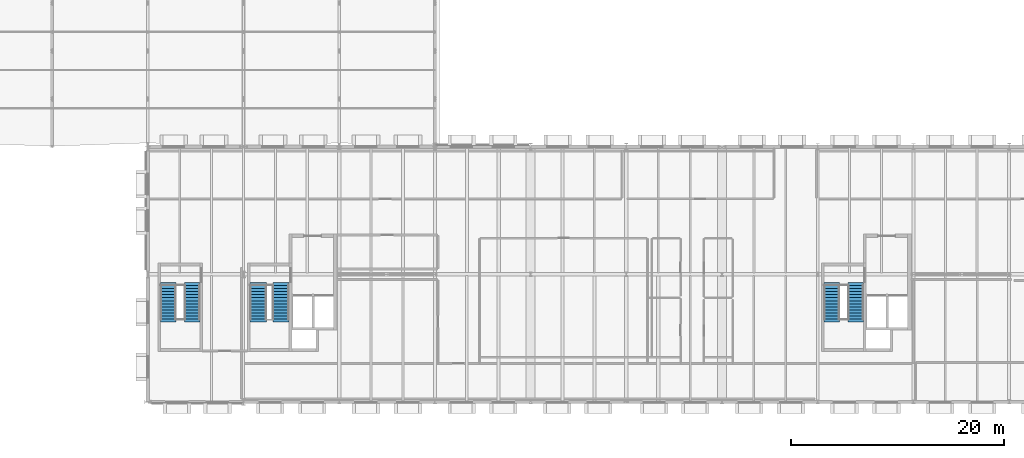
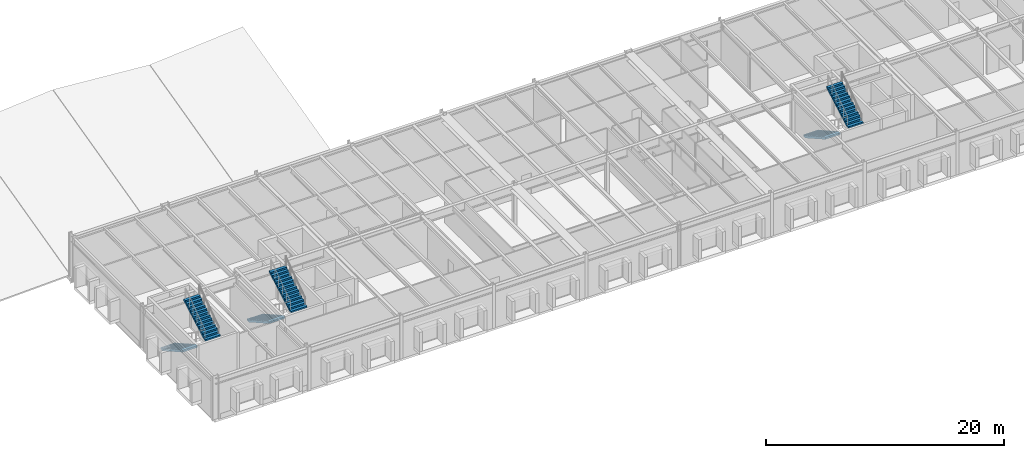
# One storey, part 63 of 67: 6 stair flights, 3 elements without a shape of their own.
"""IFC4 building model written with IfcOpenShell, lengths in metres."""

from ifc_helpers import new_model, si_unit, direction, frame, origin, place, context, subcontext, project, spatial, polyline, outline, extrude, material, type_object, element, aggregate, save


model = new_model("IFC4")

# Units and contexts
model_context = context("Model", 3, precision=1e-05, world=origin(), true_north=direction((0.0, 1.0)))
body_context = subcontext(model_context, "Body", "Model", "MODEL_VIEW")
ifc_project = project(units=[si_unit("LENGTHUNIT", "METRE"), si_unit("AREAUNIT", "SQUARE_METRE"), si_unit("VOLUMEUNIT", "CUBIC_METRE"), si_unit("PLANEANGLEUNIT", "RADIAN"), si_unit("MASSUNIT", "GRAM", prefix="KILO")], contexts=[model_context])

# Site, building, storey
site_placement = place(None, origin())
site = spatial("IfcSite", under=ifc_project, at=site_placement, CompositionType="ELEMENT")
building_placement = place(site_placement, origin())
building = spatial("IfcBuilding", under=site, at=building_placement, Name="Montelvaro Courts of Justice", CompositionType="ELEMENT")
storey_placement = place(building_placement, frame((0.0, 0.0, 18.89990234375)))
storey = spatial("IfcBuildingStorey", under=building, at=storey_placement, Name="L04", CompositionType="ELEMENT", Elevation=18.89990234375)

# Stair, stair flights
ifc_material = material(Name="Concrete C35/45", Category="concrete")
stair_type_1 = type_object("IfcStairType", Name="ProtectedStair_145", PredefinedType="HALF_TURN_STAIR", material=ifc_material)
stair_1_placement = place(storey_placement, origin())
stair_1 = element("IfcStair", 1, at=stair_1_placement, inside=storey, type_object=stair_type_1, Name="Protected Stair ST-K2-L04", PredefinedType="HALF_TURN_STAIR")
stair_flight_type_1 = type_object("IfcStairFlightType", Name="StairFlight_145", PredefinedType="STRAIGHT", material=ifc_material)
stair_flight_1_placement = place(storey_placement, frame((109.324951171875, 11.219970703125, 0.0), z_axis=(0.0, 0.0, 1.0), x_axis=(0.0, -1.0, 0.0)))
stair_flight_1 = element("IfcStairFlight", 2, at=stair_flight_1_placement, type_object=stair_flight_type_1, Name="ST-K2-L04 flight 1", NumberOfRisers=14, NumberOfTreads=13, PredefinedType="STRAIGHT", RiserHeight=0.160714286, TreadLength=0.285, context=body_context, shape_type="SweptSolid", body=[
    extrude(outline(polyline([(0.0, 0.0), (0.0, 0.16064453125), (0.284912109375, 0.16064453125), (0.284912109375, 0.321533203125), (0.570068359375, 0.321533203125), (0.570068359375, 0.482177734375), (0.85498046875, 0.482177734375), (0.85498046875, 0.642822265625), (1.139892578125, 0.642822265625), (1.139892578125, 0.803466796875), (1.425048828125, 0.803466796875), (1.425048828125, 0.96435546875), (1.7099609375, 0.96435546875), (1.7099609375, 1.125), (1.9951171875, 1.125), (1.9951171875, 1.28564453125), (2.280029296875, 1.28564453125), (2.280029296875, 1.446533203125), (2.56494140625, 1.446533203125), (2.56494140625, 1.607177734375), (2.85009765625, 1.607177734375), (2.85009765625, 1.767822265625), (3.135009765625, 1.767822265625), (3.135009765625, 1.928466796875), (3.419921875, 1.928466796875), (3.419921875, 2.08935546875), (3.705078125, 2.08935546875), (3.705078125, 2.25), (3.705078125, 1.90576171875), (0.325439453125, 0.0), (0.0, 0.0)])), frame((0.0, 0.72509765625, 0.0), z_axis=(0.0, -1.0, 0.0), x_axis=(1.0, 0.0, 0.0)), (0.0, 0.0, 1.0), 1.449951171875),
])
stair_flight_2_placement = place(storey_placement, frame((111.574951171875, 7.514892578125, 2.25), z_axis=(0.0, 0.0, 1.0), x_axis=(0.0, 1.0, 0.0)))
stair_flight_2 = element("IfcStairFlight", 3, at=stair_flight_2_placement, type_object=stair_flight_type_1, Name="ST-K2-L04 flight 2", NumberOfRisers=14, NumberOfTreads=13, PredefinedType="STRAIGHT", RiserHeight=0.160714286, TreadLength=0.285, context=body_context, shape_type="SweptSolid", body=[
    extrude(outline(polyline([(0.0, 0.0), (0.0, 0.16064453125), (0.284912109375, 0.16064453125), (0.284912109375, 0.321533203125), (0.570068359375, 0.321533203125), (0.570068359375, 0.482177734375), (0.85498046875, 0.482177734375), (0.85498046875, 0.642822265625), (1.139892578125, 0.642822265625), (1.139892578125, 0.803466796875), (1.425048828125, 0.803466796875), (1.425048828125, 0.96435546875), (1.7099609375, 0.96435546875), (1.7099609375, 1.125), (1.9951171875, 1.125), (1.9951171875, 1.28564453125), (2.280029296875, 1.28564453125), (2.280029296875, 1.446533203125), (2.56494140625, 1.446533203125), (2.56494140625, 1.607177734375), (2.85009765625, 1.607177734375), (2.85009765625, 1.767822265625), (3.135009765625, 1.767822265625), (3.135009765625, 1.928466796875), (3.419921875, 1.928466796875), (3.419921875, 2.08935546875), (3.705078125, 2.08935546875), (3.705078125, 2.25), (3.705078125, 1.90576171875), (0.325439453125, 0.0), (0.0, 0.0)])), frame((0.0, 0.72509765625, 0.0), z_axis=(0.0, -1.0, 0.0), x_axis=(1.0, 0.0, 0.0)), (0.0, 0.0, 1.0), 1.449951171875),
])
aggregate(stair_1, [stair_flight_1, stair_flight_2])

stair_2_placement = place(storey_placement, origin())
stair_2 = element("IfcStair", 4, at=stair_2_placement, inside=storey, type_object=stair_type_1, Name="Protected Stair ST-E1-L04", PredefinedType="HALF_TURN_STAIR")
stair_flight_3_placement = place(storey_placement, frame((46.925048828125, 11.219970703125, 0.0), z_axis=(0.0, 0.0, 1.0), x_axis=(0.0, -1.0, 0.0)))
stair_flight_3 = element("IfcStairFlight", 5, at=stair_flight_3_placement, type_object=stair_flight_type_1, Name="ST-E1-L04 flight 1", NumberOfRisers=14, NumberOfTreads=13, PredefinedType="STRAIGHT", RiserHeight=0.160714286, TreadLength=0.285, context=body_context, shape_type="SweptSolid", body=[
    extrude(outline(polyline([(0.0, 0.0), (0.0, 0.16064453125), (0.284912109375, 0.16064453125), (0.284912109375, 0.321533203125), (0.570068359375, 0.321533203125), (0.570068359375, 0.482177734375), (0.85498046875, 0.482177734375), (0.85498046875, 0.642822265625), (1.139892578125, 0.642822265625), (1.139892578125, 0.803466796875), (1.425048828125, 0.803466796875), (1.425048828125, 0.96435546875), (1.7099609375, 0.96435546875), (1.7099609375, 1.125), (1.9951171875, 1.125), (1.9951171875, 1.28564453125), (2.280029296875, 1.28564453125), (2.280029296875, 1.446533203125), (2.56494140625, 1.446533203125), (2.56494140625, 1.607177734375), (2.85009765625, 1.607177734375), (2.85009765625, 1.767822265625), (3.135009765625, 1.767822265625), (3.135009765625, 1.928466796875), (3.419921875, 1.928466796875), (3.419921875, 2.08935546875), (3.705078125, 2.08935546875), (3.705078125, 2.25), (3.705078125, 1.90576171875), (0.325439453125, 0.0), (0.0, 0.0)])), frame((0.0, 0.72509765625, 0.0), z_axis=(0.0, -1.0, 0.0), x_axis=(1.0, 0.0, 0.0)), (0.0, 0.0, 1.0), 1.449951171875),
])
stair_flight_4_placement = place(storey_placement, frame((49.175048828125, 7.514892578125, 2.25), z_axis=(0.0, 0.0, 1.0), x_axis=(0.0, 1.0, 0.0)))
stair_flight_4 = element("IfcStairFlight", 6, at=stair_flight_4_placement, type_object=stair_flight_type_1, Name="ST-E1-L04 flight 2", NumberOfRisers=14, NumberOfTreads=13, PredefinedType="STRAIGHT", RiserHeight=0.160714286, TreadLength=0.285, context=body_context, shape_type="SweptSolid", body=[
    extrude(outline(polyline([(0.0, 0.0), (0.0, 0.16064453125), (0.284912109375, 0.16064453125), (0.284912109375, 0.321533203125), (0.570068359375, 0.321533203125), (0.570068359375, 0.482177734375), (0.85498046875, 0.482177734375), (0.85498046875, 0.642822265625), (1.139892578125, 0.642822265625), (1.139892578125, 0.803466796875), (1.425048828125, 0.803466796875), (1.425048828125, 0.96435546875), (1.7099609375, 0.96435546875), (1.7099609375, 1.125), (1.9951171875, 1.125), (1.9951171875, 1.28564453125), (2.280029296875, 1.28564453125), (2.280029296875, 1.446533203125), (2.56494140625, 1.446533203125), (2.56494140625, 1.607177734375), (2.85009765625, 1.607177734375), (2.85009765625, 1.767822265625), (3.135009765625, 1.767822265625), (3.135009765625, 1.928466796875), (3.419921875, 1.928466796875), (3.419921875, 2.08935546875), (3.705078125, 2.08935546875), (3.705078125, 2.25), (3.705078125, 1.90576171875), (0.325439453125, 0.0), (0.0, 0.0)])), frame((0.0, 0.72509765625, 0.0), z_axis=(0.0, -1.0, 0.0), x_axis=(1.0, 0.0, 0.0)), (0.0, 0.0, 1.0), 1.449951171875),
])
aggregate(stair_2, [stair_flight_3, stair_flight_4])

stair_type_2 = type_object("IfcStairType", Name="ProtectedStair_155", PredefinedType="HALF_TURN_STAIR", material=ifc_material)
stair_3_placement = place(storey_placement, origin())
stair_3 = element("IfcStair", 7, at=stair_3_placement, inside=storey, type_object=stair_type_2, Name="Protected Stair ST-K1-L04", PredefinedType="HALF_TURN_STAIR")
stair_flight_type_2 = type_object("IfcStairFlightType", Name="StairFlight_155", PredefinedType="STRAIGHT", material=ifc_material)
stair_flight_5_placement = place(storey_placement, frame((55.375, 11.219970703125, 0.0), z_axis=(0.0, 0.0, 1.0), x_axis=(0.0, -1.0, 0.0)))
stair_flight_5 = element("IfcStairFlight", 8, at=stair_flight_5_placement, type_object=stair_flight_type_2, Name="ST-K1-L04 flight 1", NumberOfRisers=14, NumberOfTreads=13, PredefinedType="STRAIGHT", RiserHeight=0.160714286, TreadLength=0.285, context=body_context, shape_type="SweptSolid", body=[
    extrude(outline(polyline([(0.0, 0.0), (0.0, 0.16064453125), (0.284912109375, 0.16064453125), (0.284912109375, 0.321533203125), (0.570068359375, 0.321533203125), (0.570068359375, 0.482177734375), (0.85498046875, 0.482177734375), (0.85498046875, 0.642822265625), (1.139892578125, 0.642822265625), (1.139892578125, 0.803466796875), (1.425048828125, 0.803466796875), (1.425048828125, 0.96435546875), (1.7099609375, 0.96435546875), (1.7099609375, 1.125), (1.9951171875, 1.125), (1.9951171875, 1.28564453125), (2.280029296875, 1.28564453125), (2.280029296875, 1.446533203125), (2.56494140625, 1.446533203125), (2.56494140625, 1.607177734375), (2.85009765625, 1.607177734375), (2.85009765625, 1.767822265625), (3.135009765625, 1.767822265625), (3.135009765625, 1.928466796875), (3.419921875, 1.928466796875), (3.419921875, 2.08935546875), (3.705078125, 2.08935546875), (3.705078125, 2.25), (3.705078125, 1.90576171875), (0.325439453125, 0.0), (0.0, 0.0)])), frame((0.0, 0.77490234375, 0.0), z_axis=(0.0, -1.0, 0.0), x_axis=(1.0, 0.0, 0.0)), (0.0, 0.0, 1.0), 1.550048828125),
])
stair_flight_6_placement = place(storey_placement, frame((57.52490234375, 7.514892578125, 2.25), z_axis=(0.0, 0.0, 1.0), x_axis=(0.0, 1.0, 0.0)))
stair_flight_6 = element("IfcStairFlight", 9, at=stair_flight_6_placement, type_object=stair_flight_type_2, Name="ST-K1-L04 flight 2", NumberOfRisers=14, NumberOfTreads=13, PredefinedType="STRAIGHT", RiserHeight=0.160714286, TreadLength=0.285, context=body_context, shape_type="SweptSolid", body=[
    extrude(outline(polyline([(0.0, 0.0), (0.0, 0.16064453125), (0.284912109375, 0.16064453125), (0.284912109375, 0.321533203125), (0.570068359375, 0.321533203125), (0.570068359375, 0.482177734375), (0.85498046875, 0.482177734375), (0.85498046875, 0.642822265625), (1.139892578125, 0.642822265625), (1.139892578125, 0.803466796875), (1.425048828125, 0.803466796875), (1.425048828125, 0.96435546875), (1.7099609375, 0.96435546875), (1.7099609375, 1.125), (1.9951171875, 1.125), (1.9951171875, 1.28564453125), (2.280029296875, 1.28564453125), (2.280029296875, 1.446533203125), (2.56494140625, 1.446533203125), (2.56494140625, 1.607177734375), (2.85009765625, 1.607177734375), (2.85009765625, 1.767822265625), (3.135009765625, 1.767822265625), (3.135009765625, 1.928466796875), (3.419921875, 1.928466796875), (3.419921875, 2.08935546875), (3.705078125, 2.08935546875), (3.705078125, 2.25), (3.705078125, 1.90576171875), (0.325439453125, 0.0), (0.0, 0.0)])), frame((0.0, 0.77490234375, 0.0), z_axis=(0.0, -1.0, 0.0), x_axis=(1.0, 0.0, 0.0)), (0.0, 0.0, 1.0), 1.550048828125),
])
aggregate(stair_3, [stair_flight_5, stair_flight_6])

save(model, "model.ifc")
